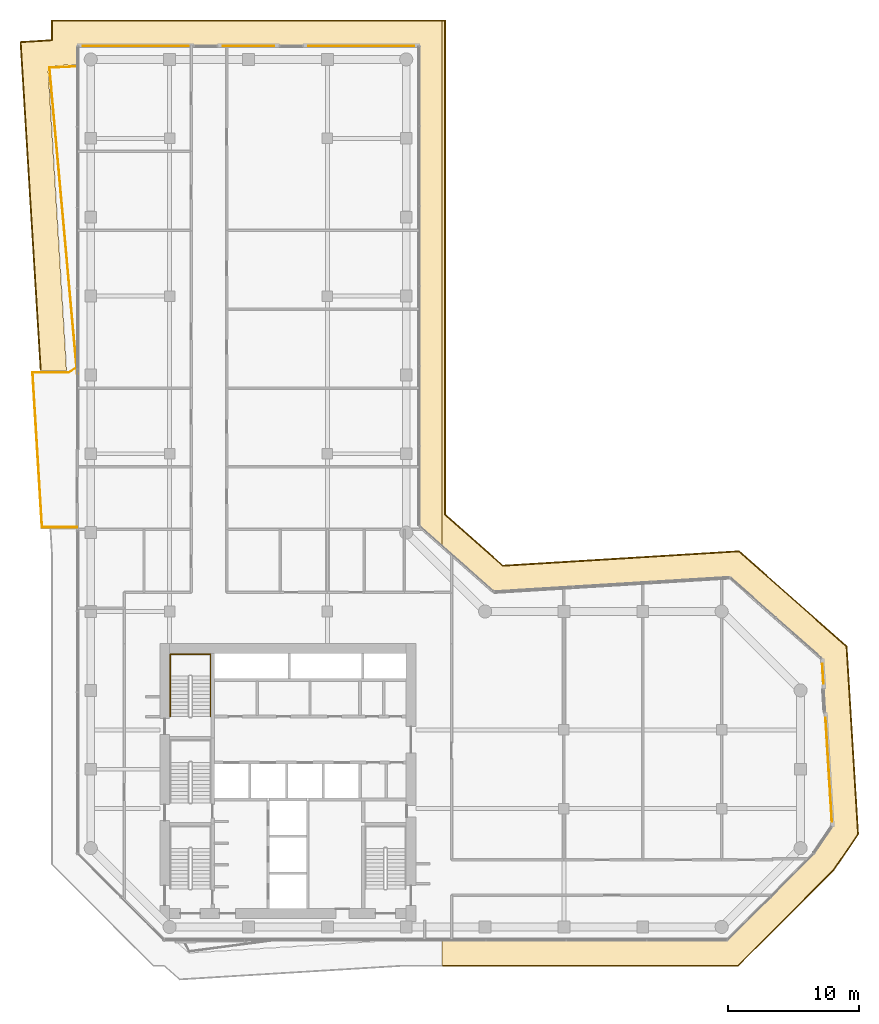
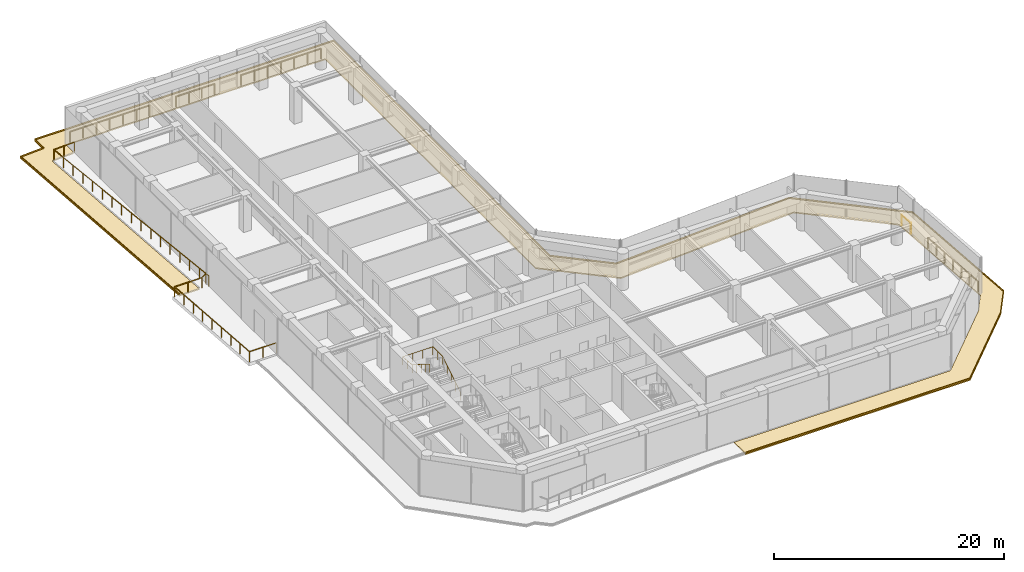
# One storey, part 23 of 23: 8 railings, 4 coverings.
"""IFC4 building model written with IfcOpenShell, lengths in metres."""

from ifc_helpers import new_model, si_unit, direction, frame, origin, origin_2d, place, context, subcontext, project, spatial, polyline, circle, outline, extrude, material, layer, layer_set, type_object, element, save


model = new_model("IFC4")

# Units and contexts
model_context = context("Model", 3, precision=1e-05, world=origin(), true_north=direction((0.0, 1.0)))
body_context = subcontext(model_context, "Body", "Model", "MODEL_VIEW")
ifc_project = project(units=[si_unit("LENGTHUNIT", "METRE"), si_unit("AREAUNIT", "SQUARE_METRE"), si_unit("VOLUMEUNIT", "CUBIC_METRE"), si_unit("PLANEANGLEUNIT", "RADIAN"), si_unit("MASSUNIT", "GRAM", prefix="KILO")], contexts=[model_context])

# Site, building, storey
site_placement = place(None, origin())
site = spatial("IfcSite", under=ifc_project, at=site_placement, CompositionType="ELEMENT")
building_placement = place(site_placement, origin())
building = spatial("IfcBuilding", under=site, at=building_placement, Name="Welwitschia Terrace Campus", CompositionType="ELEMENT")
storey_placement = place(building_placement, frame((0.0, 0.0, 96.199951171875)))
storey = spatial("IfcBuildingStorey", under=building, at=storey_placement, Name="L21", CompositionType="ELEMENT", Elevation=96.199951171875)

# Railings
ifc_material_1 = material(Name="Stainless steel grade 316", Category="steel")
railing_type_1 = type_object("IfcRailingType", Name="Guard 1100", PredefinedType="GUARDRAIL", material=ifc_material_1)
railing_1_placement = place(storey_placement, frame((-1.030029296875, 46.093017578125, 0.0)))
element("IfcRailing", 1, at=railing_1_placement, inside=storey, type_object=railing_type_1, Name="Guard floor edge L21.0", PredefinedType="GUARDRAIL", context=body_context, shape_type="SweptSolid", body=[
    extrude(circle(Radius=0.02392578125, at=origin_2d()), frame((0.0, 0.0, 1.076171875), z_axis=(-0.090173155645, 0.995926102681, 0.0), x_axis=(-0.995926102681, -0.090173155645, 0.0)), (0.0, 0.0, 1.0), 23.37353515625),
    extrude(circle(Radius=0.02392578125, at=origin_2d()), frame((-2.107666015625, 23.2783203125, 1.076171875), z_axis=(0.998841015409, 0.048131340485, 0.0), x_axis=(-0.048131340485, 0.998841015409, 0.0)), (0.0, 0.0, 1.0), 2.110107421875),
    extrude(circle(Radius=0.02099609375, at=origin_2d()), origin(), (0.0, 0.0, 1.0), 1.052001953125),
    extrude(circle(Radius=0.02099609375, at=origin_2d()), frame((-0.1318359375, 1.454833984375, 0.0)), (0.0, 0.0, 1.0), 1.052001953125),
    extrude(circle(Radius=0.02099609375, at=origin_2d()), frame((-0.263427734375, 2.90966796875, 0.0)), (0.0, 0.0, 1.0), 1.052001953125),
    extrude(circle(Radius=0.02099609375, at=origin_2d()), frame((-0.395263671875, 4.36474609375, 0.0)), (0.0, 0.0, 1.0), 1.052001953125),
    extrude(circle(Radius=0.02099609375, at=origin_2d()), frame((-0.52685546875, 5.819580078125, 0.0)), (0.0, 0.0, 1.0), 1.052001953125),
    extrude(circle(Radius=0.02099609375, at=origin_2d()), frame((-0.65869140625, 7.2744140625, 0.0)), (0.0, 0.0, 1.0), 1.052001953125),
    extrude(circle(Radius=0.02099609375, at=origin_2d()), frame((-0.790283203125, 8.7294921875, 0.0)), (0.0, 0.0, 1.0), 1.052001953125),
    extrude(circle(Radius=0.02099609375, at=origin_2d()), frame((-0.922119140625, 10.184326171875, 0.0)), (0.0, 0.0, 1.0), 1.052001953125),
    extrude(circle(Radius=0.02099609375, at=origin_2d()), frame((-1.0537109375, 11.63916015625, 0.0)), (0.0, 0.0, 1.0), 1.052001953125),
    extrude(circle(Radius=0.02099609375, at=origin_2d()), frame((-1.185546875, 13.093994140625, 0.0)), (0.0, 0.0, 1.0), 1.052001953125),
    extrude(circle(Radius=0.02099609375, at=origin_2d()), frame((-1.3173828125, 14.548828125, 0.0)), (0.0, 0.0, 1.0), 1.052001953125),
    extrude(circle(Radius=0.02099609375, at=origin_2d()), frame((-1.448974609375, 16.00390625, 0.0)), (0.0, 0.0, 1.0), 1.052001953125),
    extrude(circle(Radius=0.02099609375, at=origin_2d()), frame((-1.580810546875, 17.458740234375, 0.0)), (0.0, 0.0, 1.0), 1.052001953125),
    extrude(circle(Radius=0.02099609375, at=origin_2d()), frame((-1.71240234375, 18.91357421875, 0.0)), (0.0, 0.0, 1.0), 1.052001953125),
    extrude(circle(Radius=0.02099609375, at=origin_2d()), frame((-1.84423828125, 20.36865234375, 0.0)), (0.0, 0.0, 1.0), 1.052001953125),
    extrude(circle(Radius=0.02099609375, at=origin_2d()), frame((-1.975830078125, 21.823486328125, 0.0)), (0.0, 0.0, 1.0), 1.052001953125),
    extrude(circle(Radius=0.02099609375, at=origin_2d()), frame((-2.107666015625, 23.2783203125, 0.0)), (0.0, 0.0, 1.0), 1.052001953125),
    extrude(circle(Radius=0.02099609375, at=origin_2d()), frame((-1.0537109375, 23.3291015625, 0.0)), (0.0, 0.0, 1.0), 1.052001953125),
    extrude(circle(Radius=0.02099609375, at=origin_2d()), frame((0.0, 23.3798828125, 0.0)), (0.0, 0.0, 1.0), 1.052001953125),
])
railing_2_placement = place(storey_placement, frame((-0.580078125, 71.030029296875, 0.0)))
element("IfcRailing", 2, at=railing_2_placement, inside=storey, type_object=railing_type_1, Name="Guard floor edge L21.1", PredefinedType="GUARDRAIL", context=body_context, shape_type="SweptSolid", body=[
    extrude(circle(Radius=0.02392578125, at=origin_2d()), frame((0.0, 0.0, 1.076171875), z_axis=(1.0, 0.0, 0.0), x_axis=(0.0, 1.0, 0.0)), (0.0, 0.0, 1.0), 7.998779296875),
    extrude(circle(Radius=0.02099609375, at=origin_2d()), origin(), (0.0, 0.0, 1.0), 1.052001953125),
    extrude(circle(Radius=0.02099609375, at=origin_2d()), frame((1.3330078125, 0.0, 0.0)), (0.0, 0.0, 1.0), 1.052001953125),
    extrude(circle(Radius=0.02099609375, at=origin_2d()), frame((2.666259765625, 0.0, 0.0)), (0.0, 0.0, 1.0), 1.052001953125),
    extrude(circle(Radius=0.02099609375, at=origin_2d()), frame((3.99951171875, 0.0, 0.0)), (0.0, 0.0, 1.0), 1.052001953125),
    extrude(circle(Radius=0.02099609375, at=origin_2d()), frame((5.33251953125, 0.0, 0.0)), (0.0, 0.0, 1.0), 1.052001953125),
    extrude(circle(Radius=0.02099609375, at=origin_2d()), frame((6.66552734375, 0.0, 0.0)), (0.0, 0.0, 1.0), 1.052001953125),
    extrude(circle(Radius=0.02099609375, at=origin_2d()), frame((7.998779296875, 0.0, 0.0)), (0.0, 0.0, 1.0), 1.052001953125),
])
railing_3_placement = place(storey_placement, frame((10.066162109375, 71.030029296875, 0.0)))
element("IfcRailing", 3, at=railing_3_placement, inside=storey, type_object=railing_type_1, Name="Guard floor edge L21.3", PredefinedType="GUARDRAIL", context=body_context, shape_type="SweptSolid", body=[
    extrude(circle(Radius=0.02392578125, at=origin_2d()), frame((0.0, 0.0, 1.076171875), z_axis=(1.0, 0.0, 0.0), x_axis=(0.0, 1.0, 0.0)), (0.0, 0.0, 1.0), 3.86767578125),
    extrude(circle(Radius=0.02099609375, at=origin_2d()), origin(), (0.0, 0.0, 1.0), 1.052001953125),
    extrude(circle(Radius=0.02099609375, at=origin_2d()), frame((1.289306640625, 0.0, 0.0)), (0.0, 0.0, 1.0), 1.052001953125),
    extrude(circle(Radius=0.02099609375, at=origin_2d()), frame((2.578369140625, 0.0, 0.0)), (0.0, 0.0, 1.0), 1.052001953125),
    extrude(circle(Radius=0.02099609375, at=origin_2d()), frame((3.86767578125, 0.0, 0.0)), (0.0, 0.0, 1.0), 1.052001953125),
])
railing_4_placement = place(storey_placement, frame((16.581298828125, 71.030029296875, 0.0)))
element("IfcRailing", 4, at=railing_4_placement, inside=storey, type_object=railing_type_1, Name="Guard floor edge L21.4", PredefinedType="GUARDRAIL", context=body_context, shape_type="SweptSolid", body=[
    extrude(circle(Radius=0.02392578125, at=origin_2d()), frame((0.0, 0.0, 1.076171875), z_axis=(1.0, 0.0, 0.0), x_axis=(0.0, 1.0, 0.0)), (0.0, 0.0, 1.0), 7.998779296875),
    extrude(circle(Radius=0.02099609375, at=origin_2d()), origin(), (0.0, 0.0, 1.0), 1.052001953125),
    extrude(circle(Radius=0.02099609375, at=origin_2d()), frame((1.3330078125, 0.0, 0.0)), (0.0, 0.0, 1.0), 1.052001953125),
    extrude(circle(Radius=0.02099609375, at=origin_2d()), frame((2.666259765625, 0.0, 0.0)), (0.0, 0.0, 1.0), 1.052001953125),
    extrude(circle(Radius=0.02099609375, at=origin_2d()), frame((3.99951171875, 0.0, 0.0)), (0.0, 0.0, 1.0), 1.052001953125),
    extrude(circle(Radius=0.02099609375, at=origin_2d()), frame((5.33251953125, 0.0, 0.0)), (0.0, 0.0, 1.0), 1.052001953125),
    extrude(circle(Radius=0.02099609375, at=origin_2d()), frame((6.66552734375, 0.0, 0.0)), (0.0, 0.0, 1.0), 1.052001953125),
    extrude(circle(Radius=0.02099609375, at=origin_2d()), frame((7.998779296875, 0.0, 0.0)), (0.0, 0.0, 1.0), 1.052001953125),
])
railing_5_placement = place(storey_placement, frame((55.652099609375, 23.998779296875, 0.0)))
element("IfcRailing", 5, at=railing_5_placement, inside=storey, type_object=railing_type_1, Name="Guard floor edge L21.5", PredefinedType="GUARDRAIL", context=body_context, shape_type="SweptSolid", body=[
    extrude(circle(Radius=0.02392578125, at=origin_2d()), frame((0.0, 0.0, 1.076171875), z_axis=(0.060977952833, -0.998139113184, 0.0), x_axis=(0.998139113184, 0.060977952833, 0.0)), (0.0, 0.0, 1.0), 1.46533203125),
    extrude(circle(Radius=0.02099609375, at=origin_2d()), origin(), (0.0, 0.0, 1.0), 1.052001953125),
    extrude(circle(Radius=0.02099609375, at=origin_2d()), frame((0.08935546875, -1.462646484375, 0.0)), (0.0, 0.0, 1.0), 1.052001953125),
])
railing_6_placement = place(storey_placement, frame((55.903076171875, 19.893798828125, 0.0)))
element("IfcRailing", 6, at=railing_6_placement, inside=storey, type_object=railing_type_1, Name="Guard floor edge L21.6", PredefinedType="GUARDRAIL", context=body_context, shape_type="SweptSolid", body=[
    extrude(circle(Radius=0.02392578125, at=origin_2d()), frame((0.0, 0.0, 1.076171875), z_axis=(0.061043383017, -0.998135113795, 0.0), x_axis=(0.998135113795, 0.061043383017, 0.0)), (0.0, 0.0, 1.0), 7.890869140625),
    extrude(circle(Radius=0.02099609375, at=origin_2d()), origin(), (0.0, 0.0, 1.0), 1.052001953125),
    extrude(circle(Radius=0.02099609375, at=origin_2d()), frame((0.080322265625, -1.312744140625, 0.0)), (0.0, 0.0, 1.0), 1.052001953125),
    extrude(circle(Radius=0.02099609375, at=origin_2d()), frame((0.16064453125, -2.62548828125, 0.0)), (0.0, 0.0, 1.0), 1.052001953125),
    extrude(circle(Radius=0.02099609375, at=origin_2d()), frame((0.24072265625, -3.93798828125, 0.0)), (0.0, 0.0, 1.0), 1.052001953125),
    extrude(circle(Radius=0.02099609375, at=origin_2d()), frame((0.321044921875, -5.250732421875, 0.0)), (0.0, 0.0, 1.0), 1.052001953125),
    extrude(circle(Radius=0.02099609375, at=origin_2d()), frame((0.4013671875, -6.5634765625, 0.0)), (0.0, 0.0, 1.0), 1.052001953125),
    extrude(circle(Radius=0.02099609375, at=origin_2d()), frame((0.481689453125, -7.876220703125, 0.0)), (0.0, 0.0, 1.0), 1.052001953125),
])
railing_7_placement = place(storey_placement, frame((-1.030029296875, 34.412841796875, 0.0)))
element("IfcRailing", 7, at=railing_7_placement, inside=storey, type_object=railing_type_1, Name="Guard floor edge L21.7", PredefinedType="GUARDRAIL", context=body_context, shape_type="SweptSolid", body=[
    extrude(circle(Radius=0.02392578125, at=origin_2d()), frame((0.0, 0.0, 1.076171875), z_axis=(-1.0, 0.0, 0.0), x_axis=(0.0, -1.0, 0.0)), (0.0, 0.0, 1.0), 2.674560546875),
    extrude(circle(Radius=0.02392578125, at=origin_2d()), frame((-2.674560546875, 0.0, 1.076171875), z_axis=(-0.061024958542, 0.998136240418, 0.0), x_axis=(-0.998136240418, -0.061024958542, 0.0)), (0.0, 0.0, 1.0), 11.781982421875),
    extrude(circle(Radius=0.02392578125, at=origin_2d()), frame((-3.3935546875, 11.760009765625, 1.076171875), z_axis=(1.0, 0.0, 0.0), x_axis=(0.0, 1.0, 0.0)), (0.0, 0.0, 1.0), 2.724853515625),
    extrude(circle(Radius=0.02392578125, at=origin_2d()), frame((-0.668701171875, 11.760009765625, 1.076171875), z_axis=(0.84407998092, 0.536217293465, 0.0), x_axis=(-0.536217293465, 0.84407998092, 0.0)), (0.0, 0.0, 1.0), 0.792236328125),
    extrude(circle(Radius=0.02099609375, at=origin_2d()), origin(), (0.0, 0.0, 1.0), 1.052001953125),
    extrude(circle(Radius=0.02099609375, at=origin_2d()), frame((-1.33740234375, 0.0, 0.0)), (0.0, 0.0, 1.0), 1.052001953125),
    extrude(circle(Radius=0.02099609375, at=origin_2d()), frame((-2.674560546875, 0.0, 0.0)), (0.0, 0.0, 1.0), 1.052001953125),
    extrude(circle(Radius=0.02099609375, at=origin_2d()), frame((-2.764404296875, 1.469970703125, 0.0)), (0.0, 0.0, 1.0), 1.052001953125),
    extrude(circle(Radius=0.02099609375, at=origin_2d()), frame((-2.854248046875, 2.93994140625, 0.0)), (0.0, 0.0, 1.0), 1.052001953125),
    extrude(circle(Radius=0.02099609375, at=origin_2d()), frame((-2.944091796875, 4.409912109375, 0.0)), (0.0, 0.0, 1.0), 1.052001953125),
    extrude(circle(Radius=0.02099609375, at=origin_2d()), frame((-3.0341796875, 5.8798828125, 0.0)), (0.0, 0.0, 1.0), 1.052001953125),
    extrude(circle(Radius=0.02099609375, at=origin_2d()), frame((-3.1240234375, 7.35009765625, 0.0)), (0.0, 0.0, 1.0), 1.052001953125),
    extrude(circle(Radius=0.02099609375, at=origin_2d()), frame((-3.2138671875, 8.820068359375, 0.0)), (0.0, 0.0, 1.0), 1.052001953125),
    extrude(circle(Radius=0.02099609375, at=origin_2d()), frame((-3.3037109375, 10.2900390625, 0.0)), (0.0, 0.0, 1.0), 1.052001953125),
    extrude(circle(Radius=0.02099609375, at=origin_2d()), frame((-3.3935546875, 11.760009765625, 0.0)), (0.0, 0.0, 1.0), 1.052001953125),
    extrude(circle(Radius=0.02099609375, at=origin_2d()), frame((-2.03125, 11.760009765625, 0.0)), (0.0, 0.0, 1.0), 1.052001953125),
    extrude(circle(Radius=0.02099609375, at=origin_2d()), frame((-0.668701171875, 11.760009765625, 0.0)), (0.0, 0.0, 1.0), 1.052001953125),
    extrude(circle(Radius=0.02099609375, at=origin_2d()), frame((0.0, 12.184814453125, 0.0)), (0.0, 0.0, 1.0), 1.052001953125),
])
ifc_material_2 = material(Name="Steel S355", Category="steel")
railing_type_2 = type_object("IfcRailingType", Name="Stair handrail 900", PredefinedType="HANDRAIL", material=ifc_material_2)
railing_8_placement = place(storey_placement, frame((9.10009765625, 20.0, 0.175048828125)))
element("IfcRailing", 8, at=railing_8_placement, inside=storey, type_object=railing_type_2, Name="L21 S4 stair handrail", PredefinedType="HANDRAIL", context=body_context, shape_type="SweptSolid", body=[
    extrude(circle(Radius=0.02392578125, at=origin_2d()), frame((0.0, 0.0, 0.8759765625), z_axis=(0.0, 0.847998304005, 0.529998940003), x_axis=(-1.0, 0.0, 0.0)), (0.0, 0.0, 1.0), 3.632080078125),
    extrude(circle(Radius=0.02392578125, at=origin_2d()), frame((0.0, 3.080078125, 2.80078125), z_axis=(0.0, 1.0, 0.0), x_axis=(-1.0, 0.0, 0.0)), (0.0, 0.0, 1.0), 1.669921875),
    extrude(circle(Radius=0.02392578125, at=origin_2d()), frame((0.0, 4.75, 2.80078125), z_axis=(-1.0, 0.0, 0.0), x_axis=(0.0, -1.0, 0.0)), (0.0, 0.0, 1.0), 3.050048828125),
    extrude(circle(Radius=0.02392578125, at=origin_2d()), frame((-3.050048828125, 4.75, 2.80078125), z_axis=(0.0, -0.99455077262, 0.104253348533), x_axis=(1.0, 0.0, 0.0)), (0.0, 0.0, 1.0), 1.678955078125),
    extrude(circle(Radius=0.02392578125, at=origin_2d()), frame((-3.050048828125, 3.080078125, 2.97607421875), z_axis=(0.0, -0.848028513186, 0.529950602248), x_axis=(1.0, 0.0, 0.0)), (0.0, 0.0, 1.0), 3.632080078125),
    extrude(circle(Radius=0.02099609375, at=origin_2d()), origin(), (0.0, 0.0, 1.0), 0.851806640625),
    extrude(circle(Radius=0.02099609375, at=origin_2d()), frame((0.0, 0.77001953125, 0.481201171875)), (0.0, 0.0, 1.0), 0.851806640625),
    extrude(circle(Radius=0.02099609375, at=origin_2d()), frame((0.0, 1.5400390625, 0.96240234375)), (0.0, 0.0, 1.0), 0.851806640625),
    extrude(circle(Radius=0.02099609375, at=origin_2d()), frame((0.0, 2.31005859375, 1.44384765625)), (0.0, 0.0, 1.0), 0.851806640625),
    extrude(circle(Radius=0.02099609375, at=origin_2d()), frame((0.0, 3.080078125, 1.925048828125)), (0.0, 0.0, 1.0), 0.851806640625),
    extrude(circle(Radius=0.02099609375, at=origin_2d()), frame((0.0, 3.9150390625, 1.925048828125)), (0.0, 0.0, 1.0), 0.851806640625),
    extrude(circle(Radius=0.02099609375, at=origin_2d()), frame((0.0, 4.75, 1.925048828125)), (0.0, 0.0, 1.0), 0.851806640625),
    extrude(circle(Radius=0.02099609375, at=origin_2d()), frame((-1.0166015625, 4.75, 1.925048828125)), (0.0, 0.0, 1.0), 0.851806640625),
    extrude(circle(Radius=0.02099609375, at=origin_2d()), frame((-2.033447265625, 4.75, 1.925048828125)), (0.0, 0.0, 1.0), 0.851806640625),
    extrude(circle(Radius=0.02099609375, at=origin_2d()), frame((-3.050048828125, 4.75, 1.925048828125)), (0.0, 0.0, 1.0), 0.851806640625),
    extrude(circle(Radius=0.02099609375, at=origin_2d()), frame((-3.050048828125, 3.9150390625, 2.0126953125)), (0.0, 0.0, 1.0), 0.851806640625),
    extrude(circle(Radius=0.02099609375, at=origin_2d()), frame((-3.050048828125, 3.080078125, 2.10009765625)), (0.0, 0.0, 1.0), 0.851806640625),
    extrude(circle(Radius=0.02099609375, at=origin_2d()), frame((-3.050048828125, 2.31005859375, 2.581298828125)), (0.0, 0.0, 1.0), 0.851806640625),
    extrude(circle(Radius=0.02099609375, at=origin_2d()), frame((-3.050048828125, 1.5400390625, 3.0625)), (0.0, 0.0, 1.0), 0.851806640625),
    extrude(circle(Radius=0.02099609375, at=origin_2d()), frame((-3.050048828125, 0.77001953125, 3.543701171875)), (0.0, 0.0, 1.0), 0.851806640625),
    extrude(circle(Radius=0.02099609375, at=origin_2d()), frame((-3.050048828125, 0.0, 4.02490234375)), (0.0, 0.0, 1.0), 0.851806640625),
])

# Coverings
ifc_material_3 = material(Name="Bronze anodised aluminium", Category="aluminium")
ifc_layer_1 = layer(ifc_material_3, 0.1201171875)
ifc_layer_set_1 = layer_set([ifc_layer_1], Name="Bronze anodised aluminium")
covering_type_1 = type_object("IfcCoveringType", Name="Sunshade band 2000", PredefinedType="USERDEFINED", material=ifc_layer_set_1)
covering_1_placement = place(storey_placement, frame((0.0, 0.0, -0.25)))
element("IfcCovering", 9, at=covering_1_placement, inside=storey, type_object=covering_type_1, Name="SUNSHADE L21.SW0", ObjectType="SUNSHADE", PredefinedType="USERDEFINED", context=body_context, shape_type="SweptSolid", body=[
    extrude(outline(polyline([(26.7353515625, 73.0), (26.7353515625, 32.94775390625), (25.0, 34.483154296875), (25.0, 71.0), (-1.0, 71.0), (-1.0, 69.622314453125), (-3.2646484375, 69.48388671875), (-1.849365234375, 46.343017578125), (-3.85302734375, 46.343017578125), (-5.383056640625, 71.358154296875), (-3.0, 71.50390625), (-3.0, 73.0), (26.7353515625, 73.0)])), origin(), (0.0, 0.0, 1.0), 0.1201171875),
])
covering_2_placement = place(storey_placement, frame((0.0, 0.0, -0.25)))
element("IfcCovering", 10, at=covering_2_placement, inside=storey, type_object=covering_type_1, Name="SUNSHADE L21.SE0", ObjectType="SUNSHADE", PredefinedType="USERDEFINED", context=body_context, shape_type="SweptSolid", body=[
    extrude(outline(polyline([(27.0, 73.0), (27.0, 35.384033203125), (31.35986328125, 31.52685546875), (49.326171875, 32.625732421875), (57.542724609375, 25.3564453125), (58.418212890625, 11.0400390625), (56.545654296875, 8.302978515625), (49.24267578125, 1.0), (26.7353515625, 1.0), (26.7353515625, 3.0), (48.414306640625, 3.0), (55.0, 9.585693359375), (56.380126953125, 11.60302734375), (55.596923828125, 24.407470703125), (48.621337890625, 30.578857421875), (30.655029296875, 29.47998046875), (26.7353515625, 32.94775390625), (26.7353515625, 73.0), (27.0, 73.0)])), origin(), (0.0, 0.0, 1.0), 0.1201171875),
])
ifc_material_4 = material(Name="Bronze anodised aluminium", Category="aluminium")
ifc_layer_2 = layer(ifc_material_4, 0.06005859375)
ifc_layer_set_2 = layer_set([ifc_layer_2], Name="Bronze anodised aluminium")
covering_type_2 = type_object("IfcCoveringType", Name="Sunshade lip 60", PredefinedType="USERDEFINED", material=ifc_layer_set_2)
covering_3_placement = place(storey_placement, frame((0.0, 0.0, -0.1298828125)))
element("IfcCovering", 11, at=covering_3_placement, inside=storey, type_object=covering_type_2, Name="SUNSHADE LIP L21.SW0.0", ObjectType="SUNSHADE", PredefinedType="USERDEFINED", context=body_context, shape_type="SweptSolid", body=[
    extrude(outline(polyline([(26.7353515625, 72.93994140625), (-2.93994140625, 72.93994140625), (-2.93994140625, 71.447509765625), (-5.319580078125, 71.3017578125), (-3.79296875, 46.343017578125), (-3.85302734375, 46.343017578125), (-5.383056640625, 71.358154296875), (-3.0, 71.50390625), (-3.0, 73.0), (26.7353515625, 73.0), (26.7353515625, 72.93994140625)])), origin(), (0.0, 0.0, 1.0), 0.1298828125),
])
covering_4_placement = place(storey_placement, frame((0.0, 0.0, -0.1298828125)))
element("IfcCovering", 12, at=covering_4_placement, inside=storey, type_object=covering_type_2, Name="SUNSHADE LIP L21.SE0.0", ObjectType="SUNSHADE", PredefinedType="USERDEFINED", context=body_context, shape_type="SweptSolid", body=[
    extrude(outline(polyline([(27.0, 35.384033203125), (31.35986328125, 31.52685546875), (49.326171875, 32.625732421875), (57.542724609375, 25.3564453125), (58.418212890625, 11.0400390625), (56.545654296875, 8.302978515625), (49.24267578125, 1.0), (26.7353515625, 1.0), (26.7353515625, 1.06005859375), (49.2177734375, 1.06005859375), (56.499267578125, 8.341552734375), (58.357177734375, 11.056884765625), (57.484375, 25.327880859375), (49.304931640625, 32.564208984375), (31.338623046875, 31.465576171875), (26.93994140625, 35.35693359375), (26.93994140625, 72.93994140625), (26.7353515625, 72.93994140625), (26.7353515625, 73.0), (27.0, 73.0), (27.0, 35.384033203125)])), origin(), (0.0, 0.0, 1.0), 0.1298828125),
])

save(model, "model.ifc")
